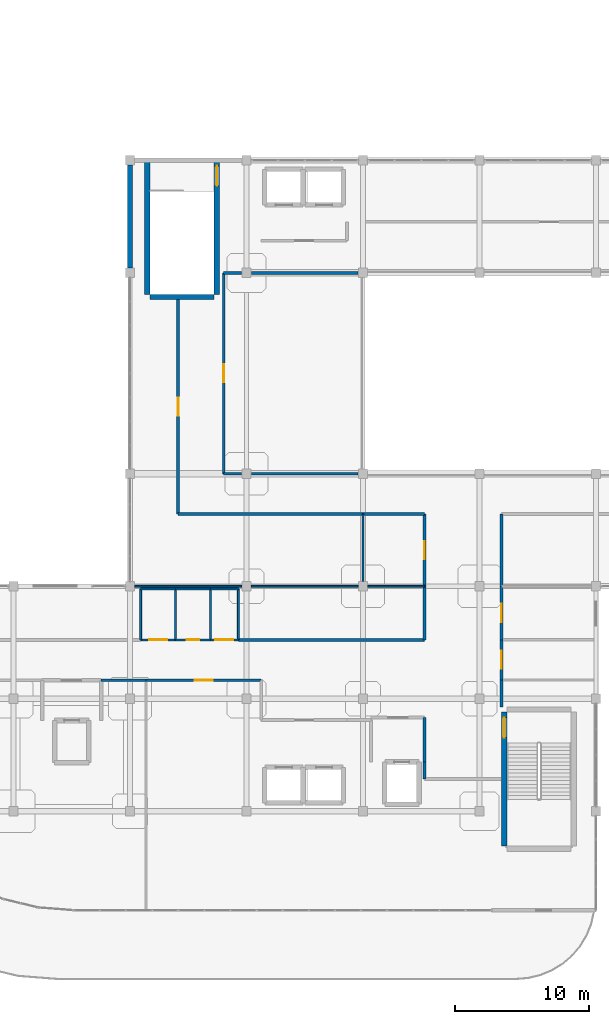
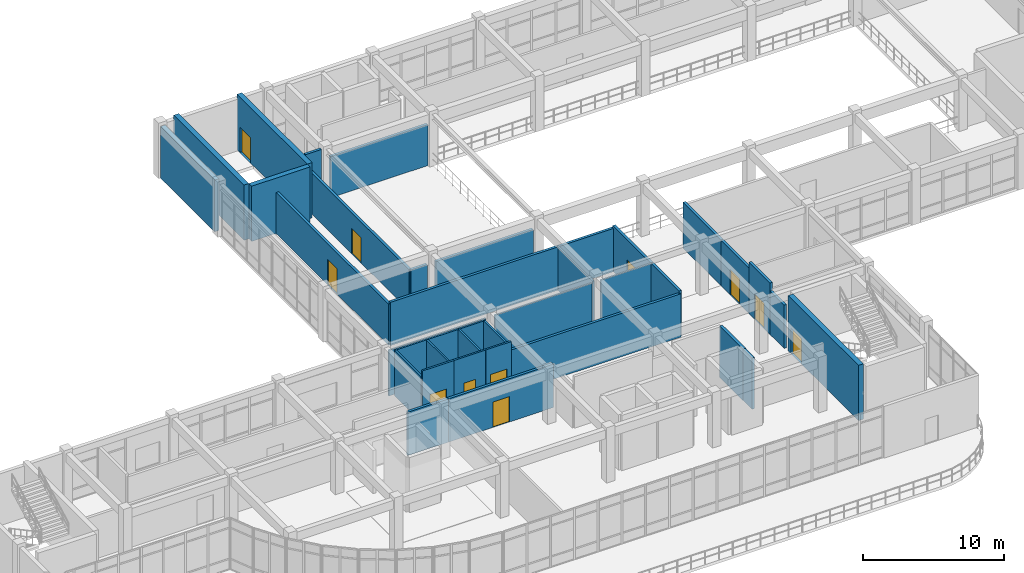
# One storey, part 55 of 64: 38 walls, 11 doors, 11 openings.
"""IFC4 building model written with IfcOpenShell, lengths in metres."""

from ifc_helpers import new_model, si_unit, derived_unit, direction, frame, frame_2d, origin, place, context, subcontext, project, spatial, rectangle, extrude, material, layer, layer_set, type_object, element, fill, save


model = new_model("IFC4")

# Units and contexts
model_context = context("Model", 3, precision=1e-05, world=origin(), true_north=direction((0.0, 1.0)))
body_context = subcontext(model_context, "Body", "Model", "MODEL_VIEW")
ifc_project = project(units=[si_unit("LENGTHUNIT", "METRE"), si_unit("AREAUNIT", "SQUARE_METRE"), si_unit("VOLUMEUNIT", "CUBIC_METRE"), si_unit("PLANEANGLEUNIT", "RADIAN"), si_unit("MASSUNIT", "GRAM", prefix="KILO"), derived_unit("THERMALTRANSMITTANCEUNIT", [(si_unit("MASSUNIT", "GRAM", prefix="KILO"), 1), (si_unit("TIMEUNIT", "SECOND"), -3), (si_unit("THERMODYNAMICTEMPERATUREUNIT", "KELVIN"), -1)])], contexts=[model_context])

# Site, building, storey
site_placement = place(None, origin())
site = spatial("IfcSite", under=ifc_project, at=site_placement, CompositionType="ELEMENT")
building_placement = place(site_placement, origin())
building = spatial("IfcBuilding", under=site, at=building_placement, Name="Qinzheling Arcade Emporium", CompositionType="ELEMENT")
storey_placement = place(building_placement, frame((0.0, 0.0, 31.5)))
storey = spatial("IfcBuildingStorey", under=building, at=storey_placement, Name="L07", CompositionType="ELEMENT", Elevation=31.5)

# Wall, opening, door
ifc_material_1 = material(Name="Double-stud acoustic gypsum board partition")
ifc_layer_1 = layer(ifc_material_1, 0.215087890625, Name="Double-stud acoustic gypsum board partition")
ifc_layer_set_1 = layer_set([ifc_layer_1], Name="Double-stud acoustic gypsum board partition")
wall_type_1 = type_object("IfcWallType", Name="Acoustic Corridor Partition Wall 215", PredefinedType="PARTITIONING", material=ifc_layer_set_1)
wall_1_placement = place(storey_placement, frame((62.550048828125, 42.0, 0.0), z_axis=(0.0, 0.0, 1.0), x_axis=(0.0, -1.0, 0.0)))
wall_1 = element("IfcWall", 1, at=wall_1_placement, inside=storey, type_object=wall_type_1, Name="Interior Wall WL-L07-INT-0918", PredefinedType="PARTITIONING", context=body_context, shape_type="SweptSolid", body=[
    extrude(rectangle(XDim=4.0, YDim=0.215087890625, at=frame_2d((2.0, 0.0))), origin(), (0.0, 0.0, 1.0), 3.9599609375),
])
opening_1_placement = place(wall_1_placement, frame((1.324951171875, 0.0, 0.0)))
opening_1 = element("IfcOpeningElement", 2, at=opening_1_placement, cuts=wall_1, Name="Opening FD05", PredefinedType="OPENING", context=body_context, shape_type="SweptSolid", body=[
    extrude(rectangle(XDim=1.35009765625, YDim=2.199951171875, at=frame_2d((0.675048828125, 1.10009765625))), frame((0.0, 0.11767578125, 0.0), z_axis=(0.0, -1.0, 0.0), x_axis=(1.0, 0.0, 0.0)), (0.0, 0.0, 1.0), 0.235107421875),
])
ifc_material_2 = material(Name="Class B fire-rated stainless-clad door")
door_type_1 = type_object("IfcDoorType", Name="Kitchen Fire-Rated Service Door 1350x2200", OperationType="NOTDEFINED", PredefinedType="DOOR", material=ifc_material_2)
door_1_placement = place(opening_1_placement, origin())
door_1 = element("IfcDoor", 3, at=door_1_placement, inside=storey, type_object=door_type_1, Name="FD05 Interior Door DR-L07-INT-0266", OperationType="SINGLE_SWING_LEFT", OverallHeight=2.199951171875, OverallWidth=1.35009765625, PredefinedType="DOOR", context=body_context, shape_type="SweptSolid", body=[
    extrude(rectangle(XDim=1.35009765625, YDim=2.199951171875, at=frame_2d((0.675048828125, 1.10009765625))), frame((0.0, 0.02490234375, 0.0), z_axis=(0.0, -1.0, 0.0), x_axis=(1.0, 0.0, 0.0)), (0.0, 0.0, 1.0), 0.050048828125),
])
fill(opening_1, door_1)

# Walls
wall_2_placement = place(storey_placement, frame((42.89990234375, 38.0, 0.0), z_axis=(0.0, 0.0, 1.0), x_axis=(1.0, 0.0, 0.0)))
element("IfcWall", 4, at=wall_2_placement, inside=storey, type_object=wall_type_1, Name="Interior Wall WL-L07-INT-0921", PredefinedType="PARTITIONING", context=body_context, shape_type="SweptSolid", body=[
    extrude(rectangle(XDim=13.900146484375, YDim=0.215087890625, at=frame_2d((6.9501953125, 0.0))), origin(), (0.0, 0.0, 1.0), 3.760009765625),
])
wall_3_placement = place(storey_placement, frame((56.800048828125, 38.0, 0.0), z_axis=(0.0, 0.0, 1.0), x_axis=(0.0, 1.0, 0.0)))
element("IfcWall", 5, at=wall_3_placement, inside=storey, type_object=wall_type_1, Name="Interior Wall WL-L07-INT-0922", PredefinedType="PARTITIONING", context=body_context, shape_type="SweptSolid", body=[
    extrude(rectangle(XDim=4.0, YDim=0.215087890625, at=frame_2d((2.0, 0.0))), origin(), (0.0, 0.0, 1.0), 3.9599609375),
])
wall_4_placement = place(storey_placement, frame((36.0, 34.97998046875, 0.0), z_axis=(0.0, 0.0, 1.0), x_axis=(-1.0, 0.0, 0.0)))
element("IfcWall", 6, at=wall_4_placement, inside=storey, type_object=wall_type_1, Name="Interior Wall WL-L07-INT-0924", PredefinedType="PARTITIONING", context=body_context, shape_type="SweptSolid", body=[
    extrude(rectangle(XDim=3.35009765625, YDim=0.215087890625, at=frame_2d((1.675048828125, 0.0))), origin(), (0.0, 0.0, 1.0), 3.760009765625),
])

# Wall, opening, door
wall_5_placement = place(storey_placement, frame((44.60009765625, 34.97998046875, 0.0), z_axis=(0.0, 0.0, 1.0), x_axis=(-1.0, 0.0, 0.0)))
wall_5 = element("IfcWall", 7, at=wall_5_placement, inside=storey, type_object=wall_type_1, Name="Interior Wall WL-L07-INT-0926", PredefinedType="PARTITIONING", context=body_context, shape_type="SweptSolid", body=[
    extrude(rectangle(XDim=8.60009765625, YDim=0.215087890625, at=frame_2d((4.300048828125, 0.0))), origin(), (0.0, 0.0, 1.0), 3.760009765625),
])
opening_2_placement = place(wall_5_placement, frame((3.625, 0.0, 0.0)))
opening_2 = element("IfcOpeningElement", 8, at=opening_2_placement, cuts=wall_5, Name="Opening FD05", PredefinedType="OPENING", context=body_context, shape_type="SweptSolid", body=[
    extrude(rectangle(XDim=1.35009765625, YDim=2.199951171875, at=frame_2d((0.675048828125, 1.10009765625))), frame((0.0, 0.11767578125, 0.0), z_axis=(0.0, -1.0, 0.0), x_axis=(1.0, 0.0, 0.0)), (0.0, 0.0, 1.0), 0.235107421875),
])
door_2_placement = place(opening_2_placement, origin())
door_2 = element("IfcDoor", 9, at=door_2_placement, inside=storey, type_object=door_type_1, Name="FD05 Interior Door DR-L07-INT-0269", OperationType="SINGLE_SWING_RIGHT", OverallHeight=2.199951171875, OverallWidth=1.35009765625, PredefinedType="DOOR", context=body_context, shape_type="SweptSolid", body=[
    extrude(rectangle(XDim=1.35009765625, YDim=2.199951171875, at=frame_2d((0.675048828125, 1.10009765625))), frame((0.0, 0.02490234375, 0.0), z_axis=(0.0, -1.0, 0.0), x_axis=(1.0, 0.0, 0.0)), (0.0, 0.0, 1.0), 0.050048828125),
])
fill(opening_2, door_2)

# Walls
wall_6_placement = place(storey_placement, frame((56.800048828125, 27.60009765625, 0.0), z_axis=(0.0, 0.0, 1.0), x_axis=(0.0, 1.0, 0.0)))
element("IfcWall", 10, at=wall_6_placement, inside=storey, type_object=wall_type_1, Name="Interior Wall WL-L07-INT-0929", PredefinedType="PARTITIONING", context=body_context, shape_type="SweptSolid", body=[
    extrude(rectangle(XDim=1.27978515625, YDim=0.215087890625, at=frame_2d((0.639892578125, 0.0))), origin(), (0.0, 0.0, 1.0), 4.4599609375),
])
wall_7_placement = place(storey_placement, frame((62.550048828125, 35.0, 0.0), z_axis=(0.0, 0.0, 1.0), x_axis=(0.0, -1.0, 0.0)))
element("IfcWall", 11, at=wall_7_placement, inside=storey, type_object=wall_type_1, Name="Interior Wall WL-L07-INT-0930", PredefinedType="PARTITIONING", context=body_context, shape_type="SweptSolid", body=[
    extrude(rectangle(XDim=2.0, YDim=0.215087890625, at=frame_2d((1.0, 0.0))), origin(), (0.0, 0.0, 1.0), 3.760009765625),
])
wall_8_placement = place(storey_placement, frame((52.199951171875, 47.39990234375, 0.0), z_axis=(0.0, 0.0, 1.0), x_axis=(-1.0, 0.0, 0.0)))
element("IfcWall", 12, at=wall_8_placement, inside=storey, type_object=wall_type_1, Name="Interior Wall WL-L07-INT-0931", PredefinedType="PARTITIONING", context=body_context, shape_type="SweptSolid", body=[
    extrude(rectangle(XDim=13.800048828125, YDim=0.215087890625, at=frame_2d((6.89990234375, 0.0))), origin(), (0.0, 0.0, 1.0), 3.760009765625),
])

# Wall, opening, door
wall_9_placement = place(storey_placement, frame((38.39990234375, 47.39990234375, 0.0), z_axis=(0.0, 0.0, 1.0), x_axis=(0.0, 1.0, 0.0)))
wall_9 = element("IfcWall", 13, at=wall_9_placement, inside=storey, type_object=wall_type_1, Name="Interior Wall WL-L07-INT-0932", PredefinedType="PARTITIONING", context=body_context, shape_type="SweptSolid", body=[
    extrude(rectangle(XDim=15.9951171875, YDim=0.215087890625, at=frame_2d((7.99755859375, 0.0))), origin(), (0.0, 0.0, 1.0), 3.56005859375),
])
opening_3_placement = place(wall_9_placement, frame((7.322998046875, 0.0, 0.0)))
opening_3 = element("IfcOpeningElement", 14, at=opening_3_placement, cuts=wall_9, Name="Opening FD05", PredefinedType="OPENING", context=body_context, shape_type="SweptSolid", body=[
    extrude(rectangle(XDim=1.35009765625, YDim=2.199951171875, at=frame_2d((0.675048828125, 1.10009765625))), frame((0.0, 0.11767578125, 0.0), z_axis=(0.0, -1.0, 0.0), x_axis=(1.0, 0.0, 0.0)), (0.0, 0.0, 1.0), 0.235107421875),
])
door_3_placement = place(opening_3_placement, origin())
door_3 = element("IfcDoor", 15, at=door_3_placement, inside=storey, type_object=door_type_1, Name="FD05 Interior Door DR-L07-INT-0270", OperationType="SINGLE_SWING_LEFT", OverallHeight=2.199951171875, OverallWidth=1.35009765625, PredefinedType="DOOR", context=body_context, shape_type="SweptSolid", body=[
    extrude(rectangle(XDim=1.35009765625, YDim=2.199951171875, at=frame_2d((0.675048828125, 1.10009765625))), frame((0.0, 0.02490234375, 0.0), z_axis=(0.0, -1.0, 0.0), x_axis=(1.0, 0.0, 0.0)), (0.0, 0.0, 1.0), 0.050048828125),
])
fill(opening_3, door_3)

# Walls
wall_10_placement = place(storey_placement, frame((51.840087890625, 65.39990234375, 0.0), z_axis=(0.0, 0.0, 1.0), x_axis=(-1.0, 0.0, 0.0)))
element("IfcWall", 16, at=wall_10_placement, inside=storey, type_object=wall_type_1, Name="Interior Wall WL-L07-INT-0933", PredefinedType="PARTITIONING", context=body_context, shape_type="SweptSolid", body=[
    extrude(rectangle(XDim=7.97998046875, YDim=0.215087890625, at=frame_2d((3.989990234375, 0.0))), origin(), (0.0, 0.0, 1.0), 3.56005859375),
])
wall_11_placement = place(storey_placement, frame((43.139892578125, 65.39990234375, 0.0), z_axis=(0.0, 0.0, 1.0), x_axis=(-1.0, 0.0, 0.0)))
element("IfcWall", 17, at=wall_11_placement, inside=storey, type_object=wall_type_1, Name="Interior Wall WL-L07-INT-0934", PredefinedType="PARTITIONING", context=body_context, shape_type="SweptSolid", body=[
    extrude(rectangle(XDim=1.33984375, YDim=0.215087890625, at=frame_2d((0.669921875, 0.0))), origin(), (0.0, 0.0, 1.0), 4.4599609375),
])

# Wall, opening, door
wall_12_placement = place(storey_placement, frame((41.800048828125, 65.39990234375, 0.0), z_axis=(0.0, 0.0, 1.0), x_axis=(0.0, -1.0, 0.0)))
wall_12 = element("IfcWall", 18, at=wall_12_placement, inside=storey, type_object=wall_type_1, Name="Interior Wall WL-L07-INT-0935", PredefinedType="PARTITIONING", context=body_context, shape_type="SweptSolid", body=[
    extrude(rectangle(XDim=15.0, YDim=0.215087890625, at=frame_2d((7.5, 0.0))), origin(), (0.0, 0.0, 1.0), 3.56005859375),
])
opening_4_placement = place(wall_12_placement, frame((6.824951171875, 0.0, 0.0)))
opening_4 = element("IfcOpeningElement", 19, at=opening_4_placement, cuts=wall_12, Name="Opening FD05", PredefinedType="OPENING", context=body_context, shape_type="SweptSolid", body=[
    extrude(rectangle(XDim=1.35009765625, YDim=2.199951171875, at=frame_2d((0.675048828125, 1.10009765625))), frame((0.0, 0.11767578125, 0.0), z_axis=(0.0, -1.0, 0.0), x_axis=(1.0, 0.0, 0.0)), (0.0, 0.0, 1.0), 0.235107421875),
])
door_4_placement = place(opening_4_placement, origin())
door_4 = element("IfcDoor", 20, at=door_4_placement, inside=storey, type_object=door_type_1, Name="FD05 Interior Door DR-L07-INT-0271", OperationType="SINGLE_SWING_RIGHT", OverallHeight=2.199951171875, OverallWidth=1.35009765625, PredefinedType="DOOR", context=body_context, shape_type="SweptSolid", body=[
    extrude(rectangle(XDim=1.35009765625, YDim=2.199951171875, at=frame_2d((0.675048828125, 1.10009765625))), frame((0.0, 0.02490234375, 0.0), z_axis=(0.0, -1.0, 0.0), x_axis=(1.0, 0.0, 0.0)), (0.0, 0.0, 1.0), 0.050048828125),
])
fill(opening_4, door_4)

# Walls
wall_13_placement = place(storey_placement, frame((41.800048828125, 50.39990234375, 0.0), z_axis=(0.0, 0.0, 1.0), x_axis=(1.0, 0.0, 0.0)))
element("IfcWall", 21, at=wall_13_placement, inside=storey, type_object=wall_type_1, Name="Interior Wall WL-L07-INT-0936", PredefinedType="PARTITIONING", context=body_context, shape_type="SweptSolid", body=[
    extrude(rectangle(XDim=1.33984375, YDim=0.215087890625, at=frame_2d((0.669921875, 0.0))), origin(), (0.0, 0.0, 1.0), 3.56005859375),
])
wall_14_placement = place(storey_placement, frame((43.860107421875, 50.39990234375, 0.0), z_axis=(0.0, 0.0, 1.0), x_axis=(1.0, 0.0, 0.0)))
element("IfcWall", 22, at=wall_14_placement, inside=storey, type_object=wall_type_1, Name="Interior Wall WL-L07-INT-0937", PredefinedType="PARTITIONING", context=body_context, shape_type="SweptSolid", body=[
    extrude(rectangle(XDim=7.97998046875, YDim=0.215087890625, at=frame_2d((3.989990234375, 0.0))), origin(), (0.0, 0.0, 1.0), 3.56005859375),
])
wall_15_placement = place(storey_placement, frame((62.550048828125, 47.39990234375, 0.0), z_axis=(0.0, 0.0, 1.0), x_axis=(0.0, -1.0, 0.0)))
element("IfcWall", 23, at=wall_15_placement, inside=storey, type_object=wall_type_1, Name="Interior Wall WL-L07-INT-0941", PredefinedType="PARTITIONING", context=body_context, shape_type="SweptSolid", body=[
    extrude(rectangle(XDim=5.39990234375, YDim=0.215087890625, at=frame_2d((2.699951171875, 0.0))), origin(), (0.0, 0.0, 1.0), 3.9599609375),
])

# Wall, opening, door
wall_16_placement = place(storey_placement, frame((56.800048828125, 42.0, 0.0), z_axis=(0.0, 0.0, 1.0), x_axis=(0.0, 1.0, 0.0)))
wall_16 = element("IfcWall", 24, at=wall_16_placement, inside=storey, type_object=wall_type_1, Name="Interior Wall WL-L07-INT-0942", PredefinedType="PARTITIONING", context=body_context, shape_type="SweptSolid", body=[
    extrude(rectangle(XDim=5.39990234375, YDim=0.215087890625, at=frame_2d((2.699951171875, 0.0))), origin(), (0.0, 0.0, 1.0), 3.9599609375),
])
opening_5_placement = place(wall_16_placement, frame((2.02490234375, 0.0, 0.0)))
opening_5 = element("IfcOpeningElement", 25, at=opening_5_placement, cuts=wall_16, Name="Opening FD05", PredefinedType="OPENING", context=body_context, shape_type="SweptSolid", body=[
    extrude(rectangle(XDim=1.35009765625, YDim=2.199951171875, at=frame_2d((0.675048828125, 1.10009765625))), frame((0.0, 0.11767578125, 0.0), z_axis=(0.0, -1.0, 0.0), x_axis=(1.0, 0.0, 0.0)), (0.0, 0.0, 1.0), 0.235107421875),
])
door_5_placement = place(opening_5_placement, origin())
door_5 = element("IfcDoor", 26, at=door_5_placement, inside=storey, type_object=door_type_1, Name="FD05 Interior Door DR-L07-INT-0274", OperationType="SINGLE_SWING_LEFT", OverallHeight=2.199951171875, OverallWidth=1.35009765625, PredefinedType="DOOR", context=body_context, shape_type="SweptSolid", body=[
    extrude(rectangle(XDim=1.35009765625, YDim=2.199951171875, at=frame_2d((0.675048828125, 1.10009765625))), frame((0.0, 0.02490234375, 0.0), z_axis=(0.0, -1.0, 0.0), x_axis=(1.0, 0.0, 0.0)), (0.0, 0.0, 1.0), 0.050048828125),
])
fill(opening_5, door_5)

# Wall
wall_17_placement = place(storey_placement, frame((56.800048828125, 47.39990234375, 0.0), z_axis=(0.0, 0.0, 1.0), x_axis=(-1.0, 0.0, 0.0)))
element("IfcWall", 27, at=wall_17_placement, inside=storey, type_object=wall_type_1, Name="Interior Wall WL-L07-INT-0943", PredefinedType="PARTITIONING", context=body_context, shape_type="SweptSolid", body=[
    extrude(rectangle(XDim=4.60009765625, YDim=0.215087890625, at=frame_2d((2.300048828125, 0.0))), origin(), (0.0, 0.0, 1.0), 3.760009765625),
])

# Wall, opening, door
wall_18_placement = place(storey_placement, frame((62.550048828125, 38.0, 0.0), z_axis=(0.0, 0.0, 1.0), x_axis=(0.0, -1.0, 0.0)))
wall_18 = element("IfcWall", 28, at=wall_18_placement, inside=storey, type_object=wall_type_1, Name="Interior Wall WL-L07-INT-0955", PredefinedType="PARTITIONING", context=body_context, shape_type="SweptSolid", body=[
    extrude(rectangle(XDim=3.0, YDim=0.215087890625, at=frame_2d((1.5, 0.0))), origin(), (0.0, 0.0, 1.0), 4.4599609375),
])
opening_6_placement = place(wall_18_placement, frame((0.824951171875, 0.0, 0.0)))
opening_6 = element("IfcOpeningElement", 29, at=opening_6_placement, cuts=wall_18, Name="Opening FD05", PredefinedType="OPENING", context=body_context, shape_type="SweptSolid", body=[
    extrude(rectangle(XDim=1.35009765625, YDim=2.199951171875, at=frame_2d((0.675048828125, 1.10009765625))), frame((0.0, 0.11767578125, 0.0), z_axis=(0.0, -1.0, 0.0), x_axis=(1.0, 0.0, 0.0)), (0.0, 0.0, 1.0), 0.235107421875),
])
door_6_placement = place(opening_6_placement, origin())
door_6 = element("IfcDoor", 30, at=door_6_placement, inside=storey, type_object=door_type_1, Name="FD05 Interior Door DR-L07-INT-0283", OperationType="SINGLE_SWING_RIGHT", OverallHeight=2.199951171875, OverallWidth=1.35009765625, PredefinedType="DOOR", context=body_context, shape_type="SweptSolid", body=[
    extrude(rectangle(XDim=1.35009765625, YDim=2.199951171875, at=frame_2d((0.675048828125, 1.10009765625))), frame((0.0, 0.02490234375, 0.0), z_axis=(0.0, -1.0, 0.0), x_axis=(1.0, 0.0, 0.0)), (0.0, 0.0, 1.0), 0.050048828125),
])
fill(opening_6, door_6)

# Walls
ifc_material_3 = material(Name="Fire-rated double-stud gypsum and mineral wool wall")
ifc_layer_2 = layer(ifc_material_3, 0.2451171875, Name="Fire-rated double-stud gypsum and mineral wool wall")
ifc_layer_set_2 = layer_set([ifc_layer_2], Name="Fire-rated double-stud gypsum and mineral wool wall")
wall_type_2 = type_object("IfcWallType", Name="Firefighting Lobby Rated Wall 245", PredefinedType="STANDARD", material=ifc_layer_set_2)
wall_19_placement = place(storey_placement, frame((56.800048828125, 32.199951171875, 0.0), z_axis=(0.0, 0.0, 1.0), x_axis=(0.0, -1.0, 0.0)))
element("IfcWall", 31, at=wall_19_placement, inside=storey, type_object=wall_type_2, Name="Interior Wall WL-L07-INT-0880", PredefinedType="STANDARD", context=body_context, shape_type="SweptSolid", body=[
    extrude(rectangle(XDim=3.320068359375, YDim=0.2451171875, at=frame_2d((1.66015625, 0.0))), origin(), (0.0, 0.0, 1.0), 4.4599609375),
])
ifc_material_4 = material(Name="Glazed cream terracotta on Concrete C40", Category="masonry")
ifc_layer_3 = layer(ifc_material_4, 0.360107421875, Name="Glazed cream terracotta on Concrete C40", Category="masonry")
ifc_layer_set_3 = layer_set([ifc_layer_3], Name="Glazed cream terracotta on Concrete C40")
wall_type_3 = type_object("IfcWallType", Name="Glazed Terracotta Pier Wall 360", PredefinedType="STANDARD", material=ifc_layer_set_3)
wall_20_placement = place(storey_placement, frame((34.800048828125, 65.751953125, 0.0), z_axis=(0.0, 0.0, 1.0), x_axis=(0.0, 1.0, 0.0)))
element("IfcWall", 32, at=wall_20_placement, inside=storey, type_object=wall_type_3, Name="Exterior Wall WL-L07-EW-0335", PredefinedType="STANDARD", context=body_context, shape_type="SweptSolid", body=[
    extrude(rectangle(XDim=7.696044921875, YDim=0.360107421875, at=frame_2d((3.84814453125, 0.0))), origin(), (0.0, 0.0, 1.0), 4.489990234375),
])
ifc_material_5 = material(Name="Lightweight gypsum studio partition")
ifc_layer_4 = layer(ifc_material_5, 0.125, Name="Lightweight gypsum studio partition")
ifc_layer_set_4 = layer_set([ifc_layer_4], Name="Lightweight gypsum studio partition")
wall_type_4 = type_object("IfcWallType", Name="Merchandising Studio Partition Wall 125", PredefinedType="PARTITIONING", material=ifc_layer_set_4)
for number, where, z_axis, x_axis, name in (
    (33, (35.159912109375, 42.0, 0.0), (0.0, 0.0, 1.0), (1.0, 0.0, 0.0), "Interior Wall WL-L07-INT-0958"),
    (34, (43.860107421875, 42.0, 0.0), (0.0, 0.0, 1.0), (1.0, 0.0, 0.0), "Interior Wall WL-L07-INT-0959"),
):
    element("IfcWall", number, at=place(storey_placement, frame(where, z_axis=z_axis, x_axis=x_axis)), inside=storey, type_object=wall_type_4, Name=name, PredefinedType="PARTITIONING", context=body_context, shape_type="SweptSolid", body=[
        extrude(rectangle(XDim=7.97998046875, YDim=0.125, at=frame_2d((3.989990234375, 0.0))), origin(), (0.0, 0.0, 1.0), 3.9599609375),
    ])

# Wall, opening, door
ifc_material_6 = material(Name="Moisture-resistant shaftliner gypsum board")
ifc_layer_5 = layer(ifc_material_6, 0.155029296875, Name="Moisture-resistant shaftliner gypsum board")
ifc_layer_set_5 = layer_set([ifc_layer_5], Name="Moisture-resistant shaftliner gypsum board")
wall_type_5 = type_object("IfcWallType", Name="Plumbing and Service Riser Wall 155", PredefinedType="MOVABLE", material=ifc_layer_set_5)
wall_21_placement = place(storey_placement, frame((38.199951171875, 38.0, 0.0), z_axis=(0.0, 0.0, 1.0), x_axis=(-1.0, 0.0, 0.0)))
wall_21 = element("IfcWall", 35, at=wall_21_placement, inside=storey, type_object=wall_type_5, Name="Interior Wall WL-L07-INT-0895", PredefinedType="MOVABLE", context=body_context, shape_type="SweptSolid", body=[
    extrude(rectangle(XDim=2.599853515625, YDim=0.155029296875, at=frame_2d((1.2998046875, 0.0))), origin(), (0.0, 0.0, 1.0), 4.4599609375),
])
opening_7_placement = place(wall_21_placement, frame((0.625, 0.0, 0.0)))
opening_7 = element("IfcOpeningElement", 36, at=opening_7_placement, cuts=wall_21, Name="Opening FD05", PredefinedType="OPENING", context=body_context, shape_type="SweptSolid", body=[
    extrude(rectangle(XDim=1.35009765625, YDim=2.199951171875, at=frame_2d((0.675048828125, 1.10009765625))), frame((0.0, 0.08740234375, 0.0), z_axis=(0.0, -1.0, 0.0), x_axis=(1.0, 0.0, 0.0)), (0.0, 0.0, 1.0), 0.175048828125),
])
door_7_placement = place(opening_7_placement, origin())
door_7 = element("IfcDoor", 37, at=door_7_placement, inside=storey, type_object=door_type_1, Name="FD05 Interior Door DR-L07-INT-0261", OperationType="SINGLE_SWING_RIGHT", OverallHeight=2.199951171875, OverallWidth=1.35009765625, PredefinedType="DOOR", context=body_context, shape_type="SweptSolid", body=[
    extrude(rectangle(XDim=1.35009765625, YDim=2.199951171875, at=frame_2d((0.675048828125, 1.10009765625))), frame((0.0, 0.02490234375, 0.0), z_axis=(0.0, -1.0, 0.0), x_axis=(1.0, 0.0, 0.0)), (0.0, 0.0, 1.0), 0.050048828125),
])
fill(opening_7, door_7)

# Wall
wall_22_placement = place(storey_placement, frame((40.800048828125, 41.800048828125, 0.0), z_axis=(0.0, 0.0, 1.0), x_axis=(0.0, -1.0, 0.0)))
element("IfcWall", 38, at=wall_22_placement, inside=storey, type_object=wall_type_5, Name="Interior Wall WL-L07-INT-0898", PredefinedType="MOVABLE", context=body_context, shape_type="SweptSolid", body=[
    extrude(rectangle(XDim=3.800048828125, YDim=0.155029296875, at=frame_2d((1.89990234375, 0.0))), origin(), (0.0, 0.0, 1.0), 3.9599609375),
])

# Wall, opening, door
wall_23_placement = place(storey_placement, frame((42.89990234375, 38.0, 0.0), z_axis=(0.0, 0.0, 1.0), x_axis=(-1.0, 0.0, 0.0)))
wall_23 = element("IfcWall", 39, at=wall_23_placement, inside=storey, type_object=wall_type_5, Name="Interior Wall WL-L07-INT-0901", PredefinedType="MOVABLE", context=body_context, shape_type="SweptSolid", body=[
    extrude(rectangle(XDim=2.099853515625, YDim=0.155029296875, at=frame_2d((1.0498046875, 0.0))), origin(), (0.0, 0.0, 1.0), 4.4599609375),
])
opening_8_placement = place(wall_23_placement, frame((0.375, 0.0, 0.0)))
opening_8 = element("IfcOpeningElement", 40, at=opening_8_placement, cuts=wall_23, Name="Opening FD05", PredefinedType="OPENING", context=body_context, shape_type="SweptSolid", body=[
    extrude(rectangle(XDim=1.35009765625, YDim=2.199951171875, at=frame_2d((0.675048828125, 1.10009765625))), frame((0.0, 0.08740234375, 0.0), z_axis=(0.0, -1.0, 0.0), x_axis=(1.0, 0.0, 0.0)), (0.0, 0.0, 1.0), 0.175048828125),
])
door_8_placement = place(opening_8_placement, origin())
door_8 = element("IfcDoor", 41, at=door_8_placement, inside=storey, type_object=door_type_1, Name="FD05 Interior Door DR-L07-INT-0263", OperationType="SINGLE_SWING_RIGHT", OverallHeight=2.199951171875, OverallWidth=1.35009765625, PredefinedType="DOOR", context=body_context, shape_type="SweptSolid", body=[
    extrude(rectangle(XDim=1.35009765625, YDim=2.199951171875, at=frame_2d((0.675048828125, 1.10009765625))), frame((0.0, 0.02490234375, 0.0), z_axis=(0.0, -1.0, 0.0), x_axis=(1.0, 0.0, 0.0)), (0.0, 0.0, 1.0), 0.050048828125),
])
fill(opening_8, door_8)

ifc_material_7 = material(Name="Concrete C50", Category="concrete")
ifc_layer_6 = layer(ifc_material_7, 0.39990234375, Name="Concrete C50", Category="concrete")
ifc_layer_set_6 = layer_set([ifc_layer_6], Name="Concrete C50")
wall_type_6 = type_object("IfcWallType", Name="RC Stair Core Shear Wall 400 C50", PredefinedType="SHEAR", material=ifc_layer_set_6)
wall_24_placement = place(storey_placement, frame((62.75, 22.60009765625, 0.0), z_axis=(0.0, 0.0, 1.0), x_axis=(0.0, 1.0, 0.0)))
wall_24 = element("IfcWall", 42, at=wall_24_placement, inside=storey, type_object=wall_type_6, Name="Stair Core Wall WL-L07-ST01-WEST", PredefinedType="SHEAR", context=body_context, shape_type="SweptSolid", body=[
    extrude(rectangle(XDim=10.0, YDim=0.39990234375, at=frame_2d((5.0, 0.0))), origin(), (0.0, 0.0, 1.0), 4.800048828125),
])
opening_9_placement = place(wall_24_placement, frame((8.090087890625, 0.0, 0.0)))
opening_9 = element("IfcOpeningElement", 43, at=opening_9_placement, cuts=wall_24, Name="Opening FD01", PredefinedType="OPENING", context=body_context, shape_type="SweptSolid", body=[
    extrude(rectangle(XDim=1.5, YDim=2.199951171875, at=frame_2d((0.75, 1.10009765625))), frame((0.0, 0.2099609375, 0.0), z_axis=(0.0, -1.0, 0.0), x_axis=(1.0, 0.0, 0.0)), (0.0, 0.0, 1.0), 0.419921875),
])
ifc_material_8 = material(Name="Class A fire-rated steel double door", Category="steel")
door_type_2 = type_object("IfcDoorType", Name="Stairwell Smoke-Proof Fire Door 1500x2200", OperationType="DOUBLE_DOOR_SINGLE_SWING", PredefinedType="DOOR", material=ifc_material_8)
door_9_placement = place(opening_9_placement, origin())
door_9 = element("IfcDoor", 44, at=door_9_placement, inside=storey, type_object=door_type_2, Name="FD01 Stairwell Fire Door DR-L07-ST01-FD", OperationType="DOUBLE_DOOR_SINGLE_SWING", OverallHeight=2.199951171875, OverallWidth=1.5, PredefinedType="DOOR", context=body_context, shape_type="SweptSolid", body=[
    extrude(rectangle(XDim=1.5, YDim=2.199951171875, at=frame_2d((0.75, 1.10009765625))), frame((0.0, 0.02490234375, 0.0), z_axis=(0.0, -1.0, 0.0), x_axis=(1.0, 0.0, 0.0)), (0.0, 0.0, 1.0), 0.050048828125),
])
fill(opening_9, door_9)

# Wall
wall_25_placement = place(storey_placement, frame((36.10009765625, 63.800048828125, 0.0), z_axis=(0.0, 0.0, 1.0), x_axis=(0.0, 1.0, 0.0)))
element("IfcWall", 45, at=wall_25_placement, inside=storey, type_object=wall_type_6, Name="Stair Core Wall WL-L07-ST03-WEST", PredefinedType="SHEAR", context=body_context, shape_type="SweptSolid", body=[
    extrude(rectangle(XDim=10.0, YDim=0.39990234375, at=frame_2d((5.0, 0.0))), origin(), (0.0, 0.0, 1.0), 4.800048828125),
])

# Wall, opening, door
wall_26_placement = place(storey_placement, frame((41.2900390625, 73.800048828125, 0.0), z_axis=(0.0, 0.0, 1.0), x_axis=(0.0, -1.0, 0.0)))
wall_26 = element("IfcWall", 46, at=wall_26_placement, inside=storey, type_object=wall_type_6, Name="Stair Core Wall WL-L07-ST03-EAST", PredefinedType="SHEAR", context=body_context, shape_type="SweptSolid", body=[
    extrude(rectangle(XDim=10.0, YDim=0.39990234375, at=frame_2d((5.0, 0.0))), origin(), (0.0, 0.0, 1.0), 4.800048828125),
])
opening_10_placement = place(wall_26_placement, frame((0.409912109375, 0.0, 0.0)))
opening_10 = element("IfcOpeningElement", 47, at=opening_10_placement, cuts=wall_26, Name="Opening FD01", PredefinedType="OPENING", context=body_context, shape_type="SweptSolid", body=[
    extrude(rectangle(XDim=1.5, YDim=2.199951171875, at=frame_2d((0.75, 1.10009765625))), frame((0.0, 0.2099609375, 0.0), z_axis=(0.0, -1.0, 0.0), x_axis=(1.0, 0.0, 0.0)), (0.0, 0.0, 1.0), 0.419921875),
])
door_10_placement = place(opening_10_placement, origin())
door_10 = element("IfcDoor", 48, at=door_10_placement, inside=storey, type_object=door_type_2, Name="FD01 Stairwell Fire Door DR-L07-ST03-FD", OperationType="DOUBLE_DOOR_SINGLE_SWING", OverallHeight=2.199951171875, OverallWidth=1.5, PredefinedType="DOOR", context=body_context, shape_type="SweptSolid", body=[
    extrude(rectangle(XDim=1.5, YDim=2.199951171875, at=frame_2d((0.75, 1.10009765625))), frame((0.0, 0.02490234375, 0.0), z_axis=(0.0, -1.0, 0.0), x_axis=(1.0, 0.0, 0.0)), (0.0, 0.0, 1.0), 0.050048828125),
])
fill(opening_10, door_10)

# Walls
wall_27_placement = place(storey_placement, frame((41.090087890625, 63.60009765625, 0.0), z_axis=(0.0, 0.0, 1.0), x_axis=(-1.0, 0.0, 0.0)))
element("IfcWall", 49, at=wall_27_placement, inside=storey, type_object=wall_type_6, Name="Stair Core Wall WL-L07-ST03-SOUTH", PredefinedType="SHEAR", context=body_context, shape_type="SweptSolid", body=[
    extrude(rectangle(XDim=4.7900390625, YDim=0.39990234375, at=frame_2d((2.39501953125, 0.0))), origin(), (0.0, 0.0, 1.0), 4.800048828125),
])
ifc_material_9 = material(Name="Moisture-resistant tea room partition")
ifc_layer_7 = layer(ifc_material_9, 0.1298828125, Name="Moisture-resistant tea room partition")
ifc_layer_set_7 = layer_set([ifc_layer_7], Name="Moisture-resistant tea room partition")
wall_type_7 = type_object("IfcWallType", Name="Tea Room Partition Wall 130", PredefinedType="PARTITIONING", material=ifc_layer_set_7)
wall_28_placement = place(storey_placement, frame((52.56005859375, 42.0, 0.0), z_axis=(0.0, 0.0, 1.0), x_axis=(1.0, 0.0, 0.0)))
element("IfcWall", 50, at=wall_28_placement, inside=storey, type_object=wall_type_7, Name="Interior Wall WL-L07-INT-0960", PredefinedType="PARTITIONING", context=body_context, shape_type="SweptSolid", body=[
    extrude(rectangle(XDim=4.239990234375, YDim=0.1298828125, at=frame_2d((2.1201171875, 0.0))), origin(), (0.0, 0.0, 1.0), 3.9599609375),
])
ifc_material_10 = material(Name="Moisture-resistant cement-board WC partition")
ifc_layer_8 = layer(ifc_material_10, 0.14501953125, Name="Moisture-resistant cement-board WC partition")
ifc_layer_set_8 = layer_set([ifc_layer_8], Name="Moisture-resistant cement-board WC partition")
wall_type_8 = type_object("IfcWallType", Name="Washroom Moisture Partition Wall 145", PredefinedType="PARTITIONING", material=ifc_layer_set_8)
for number, where, z_axis, x_axis, name in (
    (51, (38.199951171875, 41.800048828125, 0.0), (0.0, 0.0, 1.0), (0.0, -1.0, 0.0), "Interior Wall WL-L07-INT-0894"),
    (52, (35.60009765625, 38.0, 0.0), (0.0, 0.0, 1.0), (0.0, 1.0, 0.0), "Interior Wall WL-L07-INT-0896"),
):
    element("IfcWall", number, at=place(storey_placement, frame(where, z_axis=z_axis, x_axis=x_axis)), inside=storey, type_object=wall_type_8, Name=name, PredefinedType="PARTITIONING", context=body_context, shape_type="SweptSolid", body=[
        extrude(rectangle(XDim=3.800048828125, YDim=0.14501953125, at=frame_2d((1.89990234375, 0.0))), origin(), (0.0, 0.0, 1.0), 3.9599609375),
    ])
wall_29_placement = place(storey_placement, frame((35.60009765625, 41.800048828125, 0.0), z_axis=(0.0, 0.0, 1.0), x_axis=(1.0, 0.0, 0.0)))
element("IfcWall", 53, at=wall_29_placement, inside=storey, type_object=wall_type_8, Name="Interior Wall WL-L07-INT-0897", PredefinedType="PARTITIONING", context=body_context, shape_type="SweptSolid", body=[
    extrude(rectangle(XDim=2.599853515625, YDim=0.14501953125, at=frame_2d((1.2998046875, 0.0))), origin(), (0.0, 0.0, 1.0), 3.9599609375),
])

# Wall, opening, door
wall_30_placement = place(storey_placement, frame((40.800048828125, 38.0, 0.0), z_axis=(0.0, 0.0, 1.0), x_axis=(-1.0, 0.0, 0.0)))
wall_30 = element("IfcWall", 54, at=wall_30_placement, inside=storey, type_object=wall_type_8, Name="Interior Wall WL-L07-INT-0899", PredefinedType="PARTITIONING", context=body_context, shape_type="SweptSolid", body=[
    extrude(rectangle(XDim=2.60009765625, YDim=0.14501953125, at=frame_2d((1.300048828125, 0.0))), origin(), (0.0, 0.0, 1.0), 4.4599609375),
])
opening_11_placement = place(wall_30_placement, frame((0.824951171875, 0.0, 0.0)))
opening_11 = element("IfcOpeningElement", 55, at=opening_11_placement, cuts=wall_30, Name="Opening D13", PredefinedType="OPENING", context=body_context, shape_type="SweptSolid", body=[
    extrude(rectangle(XDim=0.949951171875, YDim=2.199951171875, at=frame_2d((0.47509765625, 1.10009765625))), frame((0.0, 0.08251953125, 0.0), z_axis=(0.0, -1.0, 0.0), x_axis=(1.0, 0.0, 0.0)), (0.0, 0.0, 1.0), 0.1650390625),
])
ifc_material_11 = material(Name="Antimicrobial high-pressure laminate door")
door_type_3 = type_object("IfcDoorType", Name="Public Female Washroom Door 950x2200", OperationType="NOTDEFINED", PredefinedType="DOOR", material=ifc_material_11)
door_11_placement = place(opening_11_placement, origin())
door_11 = element("IfcDoor", 56, at=door_11_placement, inside=storey, type_object=door_type_3, Name="D13 Interior Door DR-L07-INT-0262", OperationType="SINGLE_SWING_LEFT", OverallHeight=2.199951171875, OverallWidth=0.949951171875, PredefinedType="DOOR", context=body_context, shape_type="SweptSolid", body=[
    extrude(rectangle(XDim=0.949951171875, YDim=2.199951171875, at=frame_2d((0.47509765625, 1.10009765625))), frame((0.0, 0.02490234375, 0.0), z_axis=(0.0, -1.0, 0.0), x_axis=(1.0, 0.0, 0.0)), (0.0, 0.0, 1.0), 0.050048828125),
])
fill(opening_11, door_11)

# Walls
wall_31_placement = place(storey_placement, frame((38.199951171875, 41.800048828125, 0.0), z_axis=(0.0, 0.0, 1.0), x_axis=(1.0, 0.0, 0.0)))
element("IfcWall", 57, at=wall_31_placement, inside=storey, type_object=wall_type_8, Name="Interior Wall WL-L07-INT-0900", PredefinedType="PARTITIONING", context=body_context, shape_type="SweptSolid", body=[
    extrude(rectangle(XDim=2.60009765625, YDim=0.14501953125, at=frame_2d((1.300048828125, 0.0))), origin(), (0.0, 0.0, 1.0), 3.9599609375),
])
wall_32_placement = place(storey_placement, frame((40.800048828125, 41.800048828125, 0.0), z_axis=(0.0, 0.0, 1.0), x_axis=(1.0, 0.0, 0.0)))
element("IfcWall", 58, at=wall_32_placement, inside=storey, type_object=wall_type_8, Name="Interior Wall WL-L07-INT-0902", PredefinedType="PARTITIONING", context=body_context, shape_type="SweptSolid", body=[
    extrude(rectangle(XDim=2.099853515625, YDim=0.14501953125, at=frame_2d((1.0498046875, 0.0))), origin(), (0.0, 0.0, 1.0), 3.9599609375),
])
wall_33_placement = place(storey_placement, frame((42.89990234375, 41.800048828125, 0.0), z_axis=(0.0, 0.0, 1.0), x_axis=(0.0, -1.0, 0.0)))
element("IfcWall", 59, at=wall_33_placement, inside=storey, type_object=wall_type_8, Name="Interior Wall WL-L07-INT-0903", PredefinedType="PARTITIONING", context=body_context, shape_type="SweptSolid", body=[
    extrude(rectangle(XDim=3.800048828125, YDim=0.14501953125, at=frame_2d((1.89990234375, 0.0))), origin(), (0.0, 0.0, 1.0), 3.9599609375),
])
wall_34_placement = place(storey_placement, frame((52.199951171875, 47.39990234375, 0.0), z_axis=(0.0, 0.0, 1.0), x_axis=(0.0, -1.0, 0.0)))
element("IfcWall", 60, at=wall_34_placement, inside=storey, type_object=wall_type_8, Name="Interior Wall WL-L07-INT-0963", PredefinedType="PARTITIONING", context=body_context, shape_type="SweptSolid", body=[
    extrude(rectangle(XDim=5.039794921875, YDim=0.14501953125, at=frame_2d((2.52001953125, 0.0))), origin(), (0.0, 0.0, 1.0), 3.760009765625),
])

save(model, "model.ifc")
